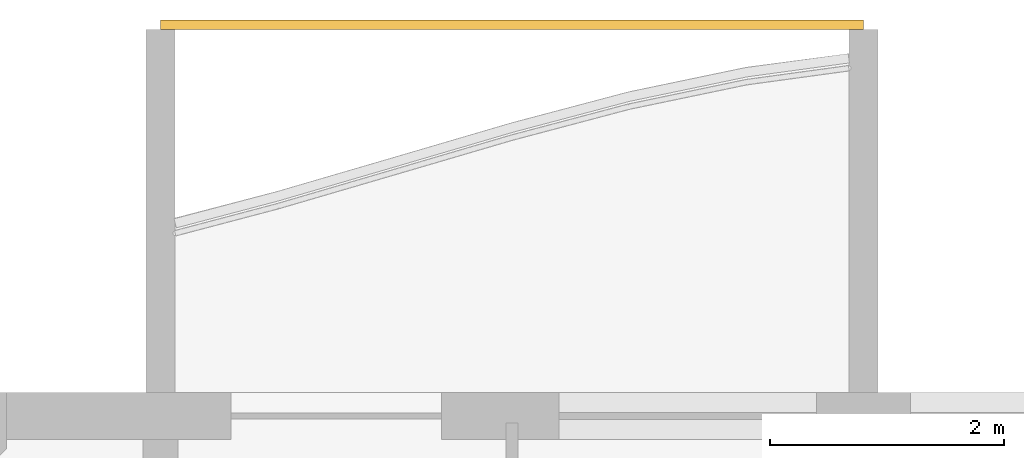
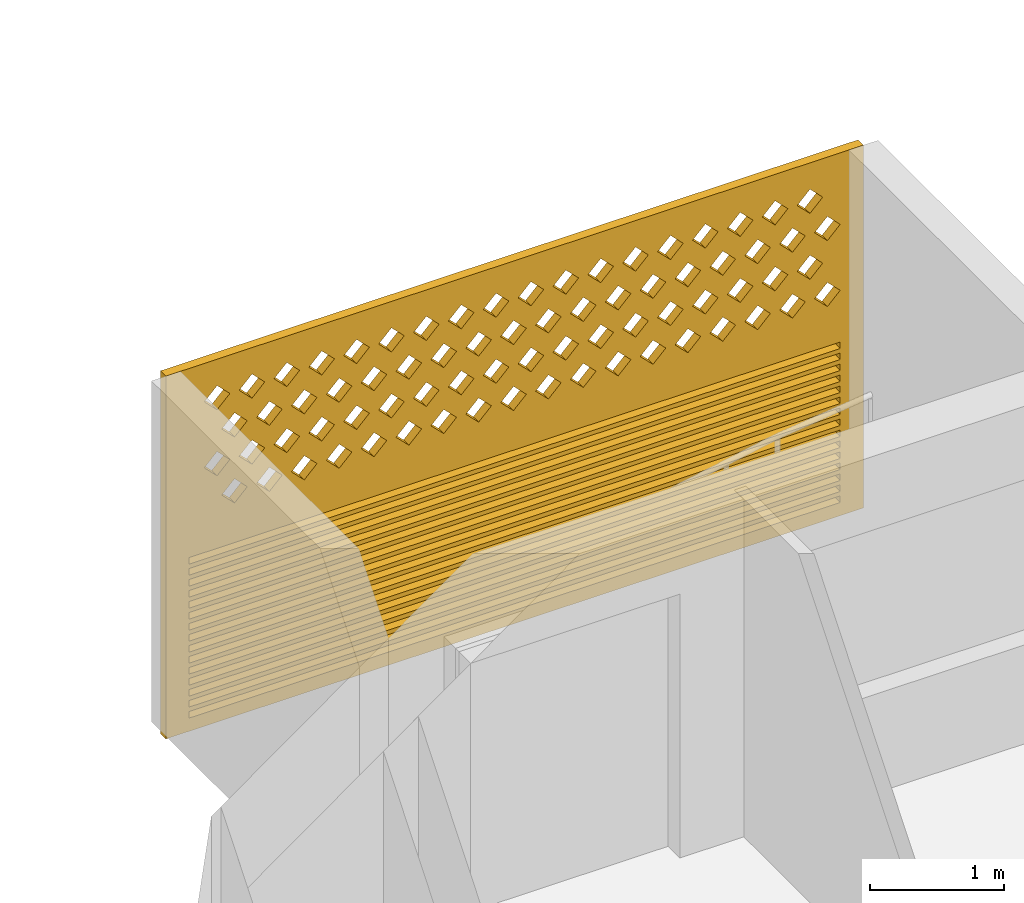
# One storey, part 19 of 33: 1 covering.
"""IFC4 building model written with IfcOpenShell, lengths in metres."""

from ifc_helpers import new_model, si_unit, direction, frame, origin, place, context, subcontext, project, spatial, polyline, outline, extrude, source, transform, mapped, material, material_profile, profile_set, type_object, element, save


model = new_model("IFC4")

# Units and contexts
model_context = context("Model", 3, precision=1e-05, world=origin(), true_north=direction((0.0, 1.0)))
body_context = subcontext(model_context, "Body", "Model", "MODEL_VIEW")
ifc_project = project(units=[si_unit("LENGTHUNIT", "METRE"), si_unit("AREAUNIT", "SQUARE_METRE"), si_unit("VOLUMEUNIT", "CUBIC_METRE"), si_unit("PLANEANGLEUNIT", "RADIAN"), si_unit("MASSUNIT", "GRAM", prefix="KILO")], contexts=[model_context])

# Site, building, storey
site_placement = place(None, origin())
site = spatial("IfcSite", under=ifc_project, at=site_placement, CompositionType="ELEMENT")
building_placement = place(site_placement, origin())
building = spatial("IfcBuilding", under=site, at=building_placement, Name="Poui Terraces", CompositionType="ELEMENT")
storey_placement = place(building_placement, frame((0.0, 0.0, 138.89990234375)))
storey = spatial("IfcBuildingStorey", under=building, at=storey_placement, Name="L38", CompositionType="ELEMENT", Elevation=138.89990234375)

# Covering
ifc_material = material(Name="Terracotta screen", Category="masonry")
ifc_material_profile = material_profile(ifc_material, outline(polyline([(-3.0, -1.64990234375), (3.0, -1.64990234375), (3.0, 1.64990234375), (-3.0, 1.64990234375), (-3.0, -1.64990234375)]), holes=[polyline([(-2.800048828125, 0.39990234375), (-2.68994140625, 0.2900390625), (-2.580078125, 0.39990234375), (-2.68994140625, 0.510009765625), (-2.800048828125, 0.39990234375)]), polyline([(-2.5, 0.39990234375), (-2.389892578125, 0.2900390625), (-2.280029296875, 0.39990234375), (-2.389892578125, 0.510009765625), (-2.5, 0.39990234375)]), polyline([(-2.199951171875, 0.39990234375), (-2.090087890625, 0.2900390625), (-1.97998046875, 0.39990234375), (-2.090087890625, 0.510009765625), (-2.199951171875, 0.39990234375)]), polyline([(-1.89990234375, 0.39990234375), (-1.7900390625, 0.2900390625), (-1.679931640625, 0.39990234375), (-1.7900390625, 0.510009765625), (-1.89990234375, 0.39990234375)]), polyline([(-1.60009765625, 0.39990234375), (-1.489990234375, 0.2900390625), (-1.3798828125, 0.39990234375), (-1.489990234375, 0.510009765625), (-1.60009765625, 0.39990234375)]), polyline([(-1.300048828125, 0.39990234375), (-1.18994140625, 0.2900390625), (-1.080078125, 0.39990234375), (-1.18994140625, 0.510009765625), (-1.300048828125, 0.39990234375)]), polyline([(-1.0, 0.39990234375), (-0.889892578125, 0.2900390625), (-0.780029296875, 0.39990234375), (-0.889892578125, 0.510009765625), (-1.0, 0.39990234375)]), polyline([(-0.699951171875, 0.39990234375), (-0.590087890625, 0.2900390625), (-0.47998046875, 0.39990234375), (-0.590087890625, 0.510009765625), (-0.699951171875, 0.39990234375)]), polyline([(-0.39990234375, 0.39990234375), (-0.2900390625, 0.2900390625), (-0.179931640625, 0.39990234375), (-0.2900390625, 0.510009765625), (-0.39990234375, 0.39990234375)]), polyline([(-0.10009765625, 0.39990234375), (0.010009765625, 0.2900390625), (0.1201171875, 0.39990234375), (0.010009765625, 0.510009765625), (-0.10009765625, 0.39990234375)]), polyline([(0.199951171875, 0.39990234375), (0.31005859375, 0.2900390625), (0.419921875, 0.39990234375), (0.31005859375, 0.510009765625), (0.199951171875, 0.39990234375)]), polyline([(0.5, 0.39990234375), (0.610107421875, 0.2900390625), (0.719970703125, 0.39990234375), (0.610107421875, 0.510009765625), (0.5, 0.39990234375)]), polyline([(0.800048828125, 0.39990234375), (0.909912109375, 0.2900390625), (1.02001953125, 0.39990234375), (0.909912109375, 0.510009765625), (0.800048828125, 0.39990234375)]), polyline([(1.10009765625, 0.39990234375), (1.2099609375, 0.2900390625), (1.320068359375, 0.39990234375), (1.2099609375, 0.510009765625), (1.10009765625, 0.39990234375)]), polyline([(1.39990234375, 0.39990234375), (1.510009765625, 0.2900390625), (1.6201171875, 0.39990234375), (1.510009765625, 0.510009765625), (1.39990234375, 0.39990234375)]), polyline([(1.699951171875, 0.39990234375), (1.81005859375, 0.2900390625), (1.919921875, 0.39990234375), (1.81005859375, 0.510009765625), (1.699951171875, 0.39990234375)]), polyline([(2.0, 0.39990234375), (2.110107421875, 0.2900390625), (2.219970703125, 0.39990234375), (2.110107421875, 0.510009765625), (2.0, 0.39990234375)]), polyline([(2.300048828125, 0.39990234375), (2.409912109375, 0.2900390625), (2.52001953125, 0.39990234375), (2.409912109375, 0.510009765625), (2.300048828125, 0.39990234375)]), polyline([(-2.64990234375, 0.699951171875), (-2.5400390625, 0.590087890625), (-2.429931640625, 0.699951171875), (-2.5400390625, 0.81005859375), (-2.64990234375, 0.699951171875)]), polyline([(-2.35009765625, 0.699951171875), (-2.239990234375, 0.590087890625), (-2.1298828125, 0.699951171875), (-2.239990234375, 0.81005859375), (-2.35009765625, 0.699951171875)]), polyline([(-2.050048828125, 0.699951171875), (-1.93994140625, 0.590087890625), (-1.830078125, 0.699951171875), (-1.93994140625, 0.81005859375), (-2.050048828125, 0.699951171875)]), polyline([(-1.75, 0.699951171875), (-1.639892578125, 0.590087890625), (-1.530029296875, 0.699951171875), (-1.639892578125, 0.81005859375), (-1.75, 0.699951171875)]), polyline([(-1.449951171875, 0.699951171875), (-1.340087890625, 0.590087890625), (-1.22998046875, 0.699951171875), (-1.340087890625, 0.81005859375), (-1.449951171875, 0.699951171875)]), polyline([(-1.14990234375, 0.699951171875), (-1.0400390625, 0.590087890625), (-0.929931640625, 0.699951171875), (-1.0400390625, 0.81005859375), (-1.14990234375, 0.699951171875)]), polyline([(-0.85009765625, 0.699951171875), (-0.739990234375, 0.590087890625), (-0.6298828125, 0.699951171875), (-0.739990234375, 0.81005859375), (-0.85009765625, 0.699951171875)]), polyline([(-0.550048828125, 0.699951171875), (-0.43994140625, 0.590087890625), (-0.330078125, 0.699951171875), (-0.43994140625, 0.81005859375), (-0.550048828125, 0.699951171875)]), polyline([(-0.25, 0.699951171875), (-0.139892578125, 0.590087890625), (-0.030029296875, 0.699951171875), (-0.139892578125, 0.81005859375), (-0.25, 0.699951171875)]), polyline([(0.050048828125, 0.699951171875), (0.159912109375, 0.590087890625), (0.27001953125, 0.699951171875), (0.159912109375, 0.81005859375), (0.050048828125, 0.699951171875)]), polyline([(0.35009765625, 0.699951171875), (0.4599609375, 0.590087890625), (0.570068359375, 0.699951171875), (0.4599609375, 0.81005859375), (0.35009765625, 0.699951171875)]), polyline([(0.64990234375, 0.699951171875), (0.760009765625, 0.590087890625), (0.8701171875, 0.699951171875), (0.760009765625, 0.81005859375), (0.64990234375, 0.699951171875)]), polyline([(0.949951171875, 0.699951171875), (1.06005859375, 0.590087890625), (1.169921875, 0.699951171875), (1.06005859375, 0.81005859375), (0.949951171875, 0.699951171875)]), polyline([(1.25, 0.699951171875), (1.360107421875, 0.590087890625), (1.469970703125, 0.699951171875), (1.360107421875, 0.81005859375), (1.25, 0.699951171875)]), polyline([(1.550048828125, 0.699951171875), (1.659912109375, 0.590087890625), (1.77001953125, 0.699951171875), (1.659912109375, 0.81005859375), (1.550048828125, 0.699951171875)]), polyline([(1.85009765625, 0.699951171875), (1.9599609375, 0.590087890625), (2.070068359375, 0.699951171875), (1.9599609375, 0.81005859375), (1.85009765625, 0.699951171875)]), polyline([(2.14990234375, 0.699951171875), (2.260009765625, 0.590087890625), (2.3701171875, 0.699951171875), (2.260009765625, 0.81005859375), (2.14990234375, 0.699951171875)]), polyline([(2.449951171875, 0.699951171875), (2.56005859375, 0.590087890625), (2.669921875, 0.699951171875), (2.56005859375, 0.81005859375), (2.449951171875, 0.699951171875)]), polyline([(-2.800048828125, 1.0), (-2.68994140625, 0.889892578125), (-2.580078125, 1.0), (-2.68994140625, 1.110107421875), (-2.800048828125, 1.0)]), polyline([(-2.5, 1.0), (-2.389892578125, 0.889892578125), (-2.280029296875, 1.0), (-2.389892578125, 1.110107421875), (-2.5, 1.0)]), polyline([(-2.199951171875, 1.0), (-2.090087890625, 0.889892578125), (-1.97998046875, 1.0), (-2.090087890625, 1.110107421875), (-2.199951171875, 1.0)]), polyline([(-1.89990234375, 1.0), (-1.7900390625, 0.889892578125), (-1.679931640625, 1.0), (-1.7900390625, 1.110107421875), (-1.89990234375, 1.0)]), polyline([(-1.60009765625, 1.0), (-1.489990234375, 0.889892578125), (-1.3798828125, 1.0), (-1.489990234375, 1.110107421875), (-1.60009765625, 1.0)]), polyline([(-1.300048828125, 1.0), (-1.18994140625, 0.889892578125), (-1.080078125, 1.0), (-1.18994140625, 1.110107421875), (-1.300048828125, 1.0)]), polyline([(-1.0, 1.0), (-0.889892578125, 0.889892578125), (-0.780029296875, 1.0), (-0.889892578125, 1.110107421875), (-1.0, 1.0)]), polyline([(-0.699951171875, 1.0), (-0.590087890625, 0.889892578125), (-0.47998046875, 1.0), (-0.590087890625, 1.110107421875), (-0.699951171875, 1.0)]), polyline([(-0.39990234375, 1.0), (-0.2900390625, 0.889892578125), (-0.179931640625, 1.0), (-0.2900390625, 1.110107421875), (-0.39990234375, 1.0)]), polyline([(-0.10009765625, 1.0), (0.010009765625, 0.889892578125), (0.1201171875, 1.0), (0.010009765625, 1.110107421875), (-0.10009765625, 1.0)]), polyline([(0.199951171875, 1.0), (0.31005859375, 0.889892578125), (0.419921875, 1.0), (0.31005859375, 1.110107421875), (0.199951171875, 1.0)]), polyline([(0.5, 1.0), (0.610107421875, 0.889892578125), (0.719970703125, 1.0), (0.610107421875, 1.110107421875), (0.5, 1.0)]), polyline([(0.800048828125, 1.0), (0.909912109375, 0.889892578125), (1.02001953125, 1.0), (0.909912109375, 1.110107421875), (0.800048828125, 1.0)]), polyline([(1.10009765625, 1.0), (1.2099609375, 0.889892578125), (1.320068359375, 1.0), (1.2099609375, 1.110107421875), (1.10009765625, 1.0)]), polyline([(1.39990234375, 1.0), (1.510009765625, 0.889892578125), (1.6201171875, 1.0), (1.510009765625, 1.110107421875), (1.39990234375, 1.0)]), polyline([(1.699951171875, 1.0), (1.81005859375, 0.889892578125), (1.919921875, 1.0), (1.81005859375, 1.110107421875), (1.699951171875, 1.0)]), polyline([(2.0, 1.0), (2.110107421875, 0.889892578125), (2.219970703125, 1.0), (2.110107421875, 1.110107421875), (2.0, 1.0)]), polyline([(2.300048828125, 1.0), (2.409912109375, 0.889892578125), (2.52001953125, 1.0), (2.409912109375, 1.110107421875), (2.300048828125, 1.0)]), polyline([(-2.64990234375, 1.300048828125), (-2.5400390625, 1.18994140625), (-2.429931640625, 1.300048828125), (-2.5400390625, 1.409912109375), (-2.64990234375, 1.300048828125)]), polyline([(-2.35009765625, 1.300048828125), (-2.239990234375, 1.18994140625), (-2.1298828125, 1.300048828125), (-2.239990234375, 1.409912109375), (-2.35009765625, 1.300048828125)]), polyline([(-2.050048828125, 1.300048828125), (-1.93994140625, 1.18994140625), (-1.830078125, 1.300048828125), (-1.93994140625, 1.409912109375), (-2.050048828125, 1.300048828125)]), polyline([(-1.75, 1.300048828125), (-1.639892578125, 1.18994140625), (-1.530029296875, 1.300048828125), (-1.639892578125, 1.409912109375), (-1.75, 1.300048828125)]), polyline([(-1.449951171875, 1.300048828125), (-1.340087890625, 1.18994140625), (-1.22998046875, 1.300048828125), (-1.340087890625, 1.409912109375), (-1.449951171875, 1.300048828125)]), polyline([(-1.14990234375, 1.300048828125), (-1.0400390625, 1.18994140625), (-0.929931640625, 1.300048828125), (-1.0400390625, 1.409912109375), (-1.14990234375, 1.300048828125)]), polyline([(-0.85009765625, 1.300048828125), (-0.739990234375, 1.18994140625), (-0.6298828125, 1.300048828125), (-0.739990234375, 1.409912109375), (-0.85009765625, 1.300048828125)]), polyline([(-0.550048828125, 1.300048828125), (-0.43994140625, 1.18994140625), (-0.330078125, 1.300048828125), (-0.43994140625, 1.409912109375), (-0.550048828125, 1.300048828125)]), polyline([(-0.25, 1.300048828125), (-0.139892578125, 1.18994140625), (-0.030029296875, 1.300048828125), (-0.139892578125, 1.409912109375), (-0.25, 1.300048828125)]), polyline([(0.050048828125, 1.300048828125), (0.159912109375, 1.18994140625), (0.27001953125, 1.300048828125), (0.159912109375, 1.409912109375), (0.050048828125, 1.300048828125)]), polyline([(0.35009765625, 1.300048828125), (0.4599609375, 1.18994140625), (0.570068359375, 1.300048828125), (0.4599609375, 1.409912109375), (0.35009765625, 1.300048828125)]), polyline([(0.64990234375, 1.300048828125), (0.760009765625, 1.18994140625), (0.8701171875, 1.300048828125), (0.760009765625, 1.409912109375), (0.64990234375, 1.300048828125)]), polyline([(0.949951171875, 1.300048828125), (1.06005859375, 1.18994140625), (1.169921875, 1.300048828125), (1.06005859375, 1.409912109375), (0.949951171875, 1.300048828125)]), polyline([(1.25, 1.300048828125), (1.360107421875, 1.18994140625), (1.469970703125, 1.300048828125), (1.360107421875, 1.409912109375), (1.25, 1.300048828125)]), polyline([(1.550048828125, 1.300048828125), (1.659912109375, 1.18994140625), (1.77001953125, 1.300048828125), (1.659912109375, 1.409912109375), (1.550048828125, 1.300048828125)]), polyline([(1.85009765625, 1.300048828125), (1.9599609375, 1.18994140625), (2.070068359375, 1.300048828125), (1.9599609375, 1.409912109375), (1.85009765625, 1.300048828125)]), polyline([(2.14990234375, 1.300048828125), (2.260009765625, 1.18994140625), (2.3701171875, 1.300048828125), (2.260009765625, 1.409912109375), (2.14990234375, 1.300048828125)]), polyline([(2.449951171875, 1.300048828125), (2.56005859375, 1.18994140625), (2.669921875, 1.300048828125), (2.56005859375, 1.409912109375), (2.449951171875, 1.300048828125)]), polyline([(-2.800048828125, -1.530029296875), (2.800048828125, -1.530029296875), (2.800048828125, -1.469970703125), (-2.800048828125, -1.469970703125), (-2.800048828125, -1.530029296875)]), polyline([(-2.800048828125, -1.429931640625), (2.800048828125, -1.429931640625), (2.800048828125, -1.3701171875), (-2.800048828125, -1.3701171875), (-2.800048828125, -1.429931640625)]), polyline([(-2.800048828125, -1.330078125), (2.800048828125, -1.330078125), (2.800048828125, -1.27001953125), (-2.800048828125, -1.27001953125), (-2.800048828125, -1.330078125)]), polyline([(-2.800048828125, -1.22998046875), (2.800048828125, -1.22998046875), (2.800048828125, -1.169921875), (-2.800048828125, -1.169921875), (-2.800048828125, -1.22998046875)]), polyline([(-2.800048828125, -1.1298828125), (2.800048828125, -1.1298828125), (2.800048828125, -1.070068359375), (-2.800048828125, -1.070068359375), (-2.800048828125, -1.1298828125)]), polyline([(-2.800048828125, -1.030029296875), (2.800048828125, -1.030029296875), (2.800048828125, -0.969970703125), (-2.800048828125, -0.969970703125), (-2.800048828125, -1.030029296875)]), polyline([(-2.800048828125, -0.929931640625), (2.800048828125, -0.929931640625), (2.800048828125, -0.8701171875), (-2.800048828125, -0.8701171875), (-2.800048828125, -0.929931640625)]), polyline([(-2.800048828125, -0.830078125), (2.800048828125, -0.830078125), (2.800048828125, -0.77001953125), (-2.800048828125, -0.77001953125), (-2.800048828125, -0.830078125)]), polyline([(-2.800048828125, -0.72998046875), (2.800048828125, -0.72998046875), (2.800048828125, -0.669921875), (-2.800048828125, -0.669921875), (-2.800048828125, -0.72998046875)]), polyline([(-2.800048828125, -0.6298828125), (2.800048828125, -0.6298828125), (2.800048828125, -0.570068359375), (-2.800048828125, -0.570068359375), (-2.800048828125, -0.6298828125)]), polyline([(-2.800048828125, -0.530029296875), (2.800048828125, -0.530029296875), (2.800048828125, -0.469970703125), (-2.800048828125, -0.469970703125), (-2.800048828125, -0.530029296875)]), polyline([(-2.800048828125, -0.429931640625), (2.800048828125, -0.429931640625), (2.800048828125, -0.3701171875), (-2.800048828125, -0.3701171875), (-2.800048828125, -0.429931640625)]), polyline([(-2.800048828125, -0.330078125), (2.800048828125, -0.330078125), (2.800048828125, -0.27001953125), (-2.800048828125, -0.27001953125), (-2.800048828125, -0.330078125)]), polyline([(-2.800048828125, -0.22998046875), (2.800048828125, -0.22998046875), (2.800048828125, -0.169921875), (-2.800048828125, -0.169921875), (-2.800048828125, -0.22998046875)]), polyline([(-2.800048828125, -0.1298828125), (2.800048828125, -0.1298828125), (2.800048828125, -0.070068359375), (-2.800048828125, -0.070068359375), (-2.800048828125, -0.1298828125)])]), Name="TERRACOTTA SCREEN AND JALOUSIE LOUVRE 6000X3300")
ifc_profile_set = profile_set([ifc_material_profile], Name="Terracotta screen")
covering_type = type_object("IfcCoveringType", Name="TERRACOTTA SCREEN AND JALOUSIE LOUVRE 6000X3300", PredefinedType="CLADDING", material=ifc_profile_set)
shared_shape = source(origin(), body_context, "Body", "SweptSolid", [
    extrude(outline(polyline([(-3.0, -1.64990234375), (3.0, -1.64990234375), (3.0, 1.64990234375), (-3.0, 1.64990234375), (-3.0, -1.64990234375)]), holes=[polyline([(-2.800048828125, 0.39990234375), (-2.68994140625, 0.2900390625), (-2.580078125, 0.39990234375), (-2.68994140625, 0.510009765625), (-2.800048828125, 0.39990234375)]), polyline([(-2.5, 0.39990234375), (-2.389892578125, 0.2900390625), (-2.280029296875, 0.39990234375), (-2.389892578125, 0.510009765625), (-2.5, 0.39990234375)]), polyline([(-2.199951171875, 0.39990234375), (-2.090087890625, 0.2900390625), (-1.97998046875, 0.39990234375), (-2.090087890625, 0.510009765625), (-2.199951171875, 0.39990234375)]), polyline([(-1.89990234375, 0.39990234375), (-1.7900390625, 0.2900390625), (-1.679931640625, 0.39990234375), (-1.7900390625, 0.510009765625), (-1.89990234375, 0.39990234375)]), polyline([(-1.60009765625, 0.39990234375), (-1.489990234375, 0.2900390625), (-1.3798828125, 0.39990234375), (-1.489990234375, 0.510009765625), (-1.60009765625, 0.39990234375)]), polyline([(-1.300048828125, 0.39990234375), (-1.18994140625, 0.2900390625), (-1.080078125, 0.39990234375), (-1.18994140625, 0.510009765625), (-1.300048828125, 0.39990234375)]), polyline([(-1.0, 0.39990234375), (-0.889892578125, 0.2900390625), (-0.780029296875, 0.39990234375), (-0.889892578125, 0.510009765625), (-1.0, 0.39990234375)]), polyline([(-0.699951171875, 0.39990234375), (-0.590087890625, 0.2900390625), (-0.47998046875, 0.39990234375), (-0.590087890625, 0.510009765625), (-0.699951171875, 0.39990234375)]), polyline([(-0.39990234375, 0.39990234375), (-0.2900390625, 0.2900390625), (-0.179931640625, 0.39990234375), (-0.2900390625, 0.510009765625), (-0.39990234375, 0.39990234375)]), polyline([(-0.10009765625, 0.39990234375), (0.010009765625, 0.2900390625), (0.1201171875, 0.39990234375), (0.010009765625, 0.510009765625), (-0.10009765625, 0.39990234375)]), polyline([(0.199951171875, 0.39990234375), (0.31005859375, 0.2900390625), (0.419921875, 0.39990234375), (0.31005859375, 0.510009765625), (0.199951171875, 0.39990234375)]), polyline([(0.5, 0.39990234375), (0.610107421875, 0.2900390625), (0.719970703125, 0.39990234375), (0.610107421875, 0.510009765625), (0.5, 0.39990234375)]), polyline([(0.800048828125, 0.39990234375), (0.909912109375, 0.2900390625), (1.02001953125, 0.39990234375), (0.909912109375, 0.510009765625), (0.800048828125, 0.39990234375)]), polyline([(1.10009765625, 0.39990234375), (1.2099609375, 0.2900390625), (1.320068359375, 0.39990234375), (1.2099609375, 0.510009765625), (1.10009765625, 0.39990234375)]), polyline([(1.39990234375, 0.39990234375), (1.510009765625, 0.2900390625), (1.6201171875, 0.39990234375), (1.510009765625, 0.510009765625), (1.39990234375, 0.39990234375)]), polyline([(1.699951171875, 0.39990234375), (1.81005859375, 0.2900390625), (1.919921875, 0.39990234375), (1.81005859375, 0.510009765625), (1.699951171875, 0.39990234375)]), polyline([(2.0, 0.39990234375), (2.110107421875, 0.2900390625), (2.219970703125, 0.39990234375), (2.110107421875, 0.510009765625), (2.0, 0.39990234375)]), polyline([(2.300048828125, 0.39990234375), (2.409912109375, 0.2900390625), (2.52001953125, 0.39990234375), (2.409912109375, 0.510009765625), (2.300048828125, 0.39990234375)]), polyline([(-2.64990234375, 0.699951171875), (-2.5400390625, 0.590087890625), (-2.429931640625, 0.699951171875), (-2.5400390625, 0.81005859375), (-2.64990234375, 0.699951171875)]), polyline([(-2.35009765625, 0.699951171875), (-2.239990234375, 0.590087890625), (-2.1298828125, 0.699951171875), (-2.239990234375, 0.81005859375), (-2.35009765625, 0.699951171875)]), polyline([(-2.050048828125, 0.699951171875), (-1.93994140625, 0.590087890625), (-1.830078125, 0.699951171875), (-1.93994140625, 0.81005859375), (-2.050048828125, 0.699951171875)]), polyline([(-1.75, 0.699951171875), (-1.639892578125, 0.590087890625), (-1.530029296875, 0.699951171875), (-1.639892578125, 0.81005859375), (-1.75, 0.699951171875)]), polyline([(-1.449951171875, 0.699951171875), (-1.340087890625, 0.590087890625), (-1.22998046875, 0.699951171875), (-1.340087890625, 0.81005859375), (-1.449951171875, 0.699951171875)]), polyline([(-1.14990234375, 0.699951171875), (-1.0400390625, 0.590087890625), (-0.929931640625, 0.699951171875), (-1.0400390625, 0.81005859375), (-1.14990234375, 0.699951171875)]), polyline([(-0.85009765625, 0.699951171875), (-0.739990234375, 0.590087890625), (-0.6298828125, 0.699951171875), (-0.739990234375, 0.81005859375), (-0.85009765625, 0.699951171875)]), polyline([(-0.550048828125, 0.699951171875), (-0.43994140625, 0.590087890625), (-0.330078125, 0.699951171875), (-0.43994140625, 0.81005859375), (-0.550048828125, 0.699951171875)]), polyline([(-0.25, 0.699951171875), (-0.139892578125, 0.590087890625), (-0.030029296875, 0.699951171875), (-0.139892578125, 0.81005859375), (-0.25, 0.699951171875)]), polyline([(0.050048828125, 0.699951171875), (0.159912109375, 0.590087890625), (0.27001953125, 0.699951171875), (0.159912109375, 0.81005859375), (0.050048828125, 0.699951171875)]), polyline([(0.35009765625, 0.699951171875), (0.4599609375, 0.590087890625), (0.570068359375, 0.699951171875), (0.4599609375, 0.81005859375), (0.35009765625, 0.699951171875)]), polyline([(0.64990234375, 0.699951171875), (0.760009765625, 0.590087890625), (0.8701171875, 0.699951171875), (0.760009765625, 0.81005859375), (0.64990234375, 0.699951171875)]), polyline([(0.949951171875, 0.699951171875), (1.06005859375, 0.590087890625), (1.169921875, 0.699951171875), (1.06005859375, 0.81005859375), (0.949951171875, 0.699951171875)]), polyline([(1.25, 0.699951171875), (1.360107421875, 0.590087890625), (1.469970703125, 0.699951171875), (1.360107421875, 0.81005859375), (1.25, 0.699951171875)]), polyline([(1.550048828125, 0.699951171875), (1.659912109375, 0.590087890625), (1.77001953125, 0.699951171875), (1.659912109375, 0.81005859375), (1.550048828125, 0.699951171875)]), polyline([(1.85009765625, 0.699951171875), (1.9599609375, 0.590087890625), (2.070068359375, 0.699951171875), (1.9599609375, 0.81005859375), (1.85009765625, 0.699951171875)]), polyline([(2.14990234375, 0.699951171875), (2.260009765625, 0.590087890625), (2.3701171875, 0.699951171875), (2.260009765625, 0.81005859375), (2.14990234375, 0.699951171875)]), polyline([(2.449951171875, 0.699951171875), (2.56005859375, 0.590087890625), (2.669921875, 0.699951171875), (2.56005859375, 0.81005859375), (2.449951171875, 0.699951171875)]), polyline([(-2.800048828125, 1.0), (-2.68994140625, 0.889892578125), (-2.580078125, 1.0), (-2.68994140625, 1.110107421875), (-2.800048828125, 1.0)]), polyline([(-2.5, 1.0), (-2.389892578125, 0.889892578125), (-2.280029296875, 1.0), (-2.389892578125, 1.110107421875), (-2.5, 1.0)]), polyline([(-2.199951171875, 1.0), (-2.090087890625, 0.889892578125), (-1.97998046875, 1.0), (-2.090087890625, 1.110107421875), (-2.199951171875, 1.0)]), polyline([(-1.89990234375, 1.0), (-1.7900390625, 0.889892578125), (-1.679931640625, 1.0), (-1.7900390625, 1.110107421875), (-1.89990234375, 1.0)]), polyline([(-1.60009765625, 1.0), (-1.489990234375, 0.889892578125), (-1.3798828125, 1.0), (-1.489990234375, 1.110107421875), (-1.60009765625, 1.0)]), polyline([(-1.300048828125, 1.0), (-1.18994140625, 0.889892578125), (-1.080078125, 1.0), (-1.18994140625, 1.110107421875), (-1.300048828125, 1.0)]), polyline([(-1.0, 1.0), (-0.889892578125, 0.889892578125), (-0.780029296875, 1.0), (-0.889892578125, 1.110107421875), (-1.0, 1.0)]), polyline([(-0.699951171875, 1.0), (-0.590087890625, 0.889892578125), (-0.47998046875, 1.0), (-0.590087890625, 1.110107421875), (-0.699951171875, 1.0)]), polyline([(-0.39990234375, 1.0), (-0.2900390625, 0.889892578125), (-0.179931640625, 1.0), (-0.2900390625, 1.110107421875), (-0.39990234375, 1.0)]), polyline([(-0.10009765625, 1.0), (0.010009765625, 0.889892578125), (0.1201171875, 1.0), (0.010009765625, 1.110107421875), (-0.10009765625, 1.0)]), polyline([(0.199951171875, 1.0), (0.31005859375, 0.889892578125), (0.419921875, 1.0), (0.31005859375, 1.110107421875), (0.199951171875, 1.0)]), polyline([(0.5, 1.0), (0.610107421875, 0.889892578125), (0.719970703125, 1.0), (0.610107421875, 1.110107421875), (0.5, 1.0)]), polyline([(0.800048828125, 1.0), (0.909912109375, 0.889892578125), (1.02001953125, 1.0), (0.909912109375, 1.110107421875), (0.800048828125, 1.0)]), polyline([(1.10009765625, 1.0), (1.2099609375, 0.889892578125), (1.320068359375, 1.0), (1.2099609375, 1.110107421875), (1.10009765625, 1.0)]), polyline([(1.39990234375, 1.0), (1.510009765625, 0.889892578125), (1.6201171875, 1.0), (1.510009765625, 1.110107421875), (1.39990234375, 1.0)]), polyline([(1.699951171875, 1.0), (1.81005859375, 0.889892578125), (1.919921875, 1.0), (1.81005859375, 1.110107421875), (1.699951171875, 1.0)]), polyline([(2.0, 1.0), (2.110107421875, 0.889892578125), (2.219970703125, 1.0), (2.110107421875, 1.110107421875), (2.0, 1.0)]), polyline([(2.300048828125, 1.0), (2.409912109375, 0.889892578125), (2.52001953125, 1.0), (2.409912109375, 1.110107421875), (2.300048828125, 1.0)]), polyline([(-2.64990234375, 1.300048828125), (-2.5400390625, 1.18994140625), (-2.429931640625, 1.300048828125), (-2.5400390625, 1.409912109375), (-2.64990234375, 1.300048828125)]), polyline([(-2.35009765625, 1.300048828125), (-2.239990234375, 1.18994140625), (-2.1298828125, 1.300048828125), (-2.239990234375, 1.409912109375), (-2.35009765625, 1.300048828125)]), polyline([(-2.050048828125, 1.300048828125), (-1.93994140625, 1.18994140625), (-1.830078125, 1.300048828125), (-1.93994140625, 1.409912109375), (-2.050048828125, 1.300048828125)]), polyline([(-1.75, 1.300048828125), (-1.639892578125, 1.18994140625), (-1.530029296875, 1.300048828125), (-1.639892578125, 1.409912109375), (-1.75, 1.300048828125)]), polyline([(-1.449951171875, 1.300048828125), (-1.340087890625, 1.18994140625), (-1.22998046875, 1.300048828125), (-1.340087890625, 1.409912109375), (-1.449951171875, 1.300048828125)]), polyline([(-1.14990234375, 1.300048828125), (-1.0400390625, 1.18994140625), (-0.929931640625, 1.300048828125), (-1.0400390625, 1.409912109375), (-1.14990234375, 1.300048828125)]), polyline([(-0.85009765625, 1.300048828125), (-0.739990234375, 1.18994140625), (-0.6298828125, 1.300048828125), (-0.739990234375, 1.409912109375), (-0.85009765625, 1.300048828125)]), polyline([(-0.550048828125, 1.300048828125), (-0.43994140625, 1.18994140625), (-0.330078125, 1.300048828125), (-0.43994140625, 1.409912109375), (-0.550048828125, 1.300048828125)]), polyline([(-0.25, 1.300048828125), (-0.139892578125, 1.18994140625), (-0.030029296875, 1.300048828125), (-0.139892578125, 1.409912109375), (-0.25, 1.300048828125)]), polyline([(0.050048828125, 1.300048828125), (0.159912109375, 1.18994140625), (0.27001953125, 1.300048828125), (0.159912109375, 1.409912109375), (0.050048828125, 1.300048828125)]), polyline([(0.35009765625, 1.300048828125), (0.4599609375, 1.18994140625), (0.570068359375, 1.300048828125), (0.4599609375, 1.409912109375), (0.35009765625, 1.300048828125)]), polyline([(0.64990234375, 1.300048828125), (0.760009765625, 1.18994140625), (0.8701171875, 1.300048828125), (0.760009765625, 1.409912109375), (0.64990234375, 1.300048828125)]), polyline([(0.949951171875, 1.300048828125), (1.06005859375, 1.18994140625), (1.169921875, 1.300048828125), (1.06005859375, 1.409912109375), (0.949951171875, 1.300048828125)]), polyline([(1.25, 1.300048828125), (1.360107421875, 1.18994140625), (1.469970703125, 1.300048828125), (1.360107421875, 1.409912109375), (1.25, 1.300048828125)]), polyline([(1.550048828125, 1.300048828125), (1.659912109375, 1.18994140625), (1.77001953125, 1.300048828125), (1.659912109375, 1.409912109375), (1.550048828125, 1.300048828125)]), polyline([(1.85009765625, 1.300048828125), (1.9599609375, 1.18994140625), (2.070068359375, 1.300048828125), (1.9599609375, 1.409912109375), (1.85009765625, 1.300048828125)]), polyline([(2.14990234375, 1.300048828125), (2.260009765625, 1.18994140625), (2.3701171875, 1.300048828125), (2.260009765625, 1.409912109375), (2.14990234375, 1.300048828125)]), polyline([(2.449951171875, 1.300048828125), (2.56005859375, 1.18994140625), (2.669921875, 1.300048828125), (2.56005859375, 1.409912109375), (2.449951171875, 1.300048828125)]), polyline([(-2.800048828125, -1.530029296875), (2.800048828125, -1.530029296875), (2.800048828125, -1.469970703125), (-2.800048828125, -1.469970703125), (-2.800048828125, -1.530029296875)]), polyline([(-2.800048828125, -1.429931640625), (2.800048828125, -1.429931640625), (2.800048828125, -1.3701171875), (-2.800048828125, -1.3701171875), (-2.800048828125, -1.429931640625)]), polyline([(-2.800048828125, -1.330078125), (2.800048828125, -1.330078125), (2.800048828125, -1.27001953125), (-2.800048828125, -1.27001953125), (-2.800048828125, -1.330078125)]), polyline([(-2.800048828125, -1.22998046875), (2.800048828125, -1.22998046875), (2.800048828125, -1.169921875), (-2.800048828125, -1.169921875), (-2.800048828125, -1.22998046875)]), polyline([(-2.800048828125, -1.1298828125), (2.800048828125, -1.1298828125), (2.800048828125, -1.070068359375), (-2.800048828125, -1.070068359375), (-2.800048828125, -1.1298828125)]), polyline([(-2.800048828125, -1.030029296875), (2.800048828125, -1.030029296875), (2.800048828125, -0.969970703125), (-2.800048828125, -0.969970703125), (-2.800048828125, -1.030029296875)]), polyline([(-2.800048828125, -0.929931640625), (2.800048828125, -0.929931640625), (2.800048828125, -0.8701171875), (-2.800048828125, -0.8701171875), (-2.800048828125, -0.929931640625)]), polyline([(-2.800048828125, -0.830078125), (2.800048828125, -0.830078125), (2.800048828125, -0.77001953125), (-2.800048828125, -0.77001953125), (-2.800048828125, -0.830078125)]), polyline([(-2.800048828125, -0.72998046875), (2.800048828125, -0.72998046875), (2.800048828125, -0.669921875), (-2.800048828125, -0.669921875), (-2.800048828125, -0.72998046875)]), polyline([(-2.800048828125, -0.6298828125), (2.800048828125, -0.6298828125), (2.800048828125, -0.570068359375), (-2.800048828125, -0.570068359375), (-2.800048828125, -0.6298828125)]), polyline([(-2.800048828125, -0.530029296875), (2.800048828125, -0.530029296875), (2.800048828125, -0.469970703125), (-2.800048828125, -0.469970703125), (-2.800048828125, -0.530029296875)]), polyline([(-2.800048828125, -0.429931640625), (2.800048828125, -0.429931640625), (2.800048828125, -0.3701171875), (-2.800048828125, -0.3701171875), (-2.800048828125, -0.429931640625)]), polyline([(-2.800048828125, -0.330078125), (2.800048828125, -0.330078125), (2.800048828125, -0.27001953125), (-2.800048828125, -0.27001953125), (-2.800048828125, -0.330078125)]), polyline([(-2.800048828125, -0.22998046875), (2.800048828125, -0.22998046875), (2.800048828125, -0.169921875), (-2.800048828125, -0.169921875), (-2.800048828125, -0.22998046875)]), polyline([(-2.800048828125, -0.1298828125), (2.800048828125, -0.1298828125), (2.800048828125, -0.070068359375), (-2.800048828125, -0.070068359375), (-2.800048828125, -0.1298828125)])]), origin(), (0.0, 0.0, 1.0), 0.080078125),
])
covering_placement = place(storey_placement, frame((21.0, 45.699951171875, 1.4501953125), z_axis=(0.0, 1.0, 0.0), x_axis=(-1.0, 0.0, 0.0)))
element("IfcCovering", 1, at=covering_placement, inside=storey, type_object=covering_type, Name="SOLAR SCREEN AND JALOUSIE LOUVRE", PredefinedType="CLADDING", context=body_context, shape_type="MappedRepresentation", body=[
    mapped(shared_shape, transform((0.0, 0.0, 0.0))),
])

save(model, "model.ifc")
